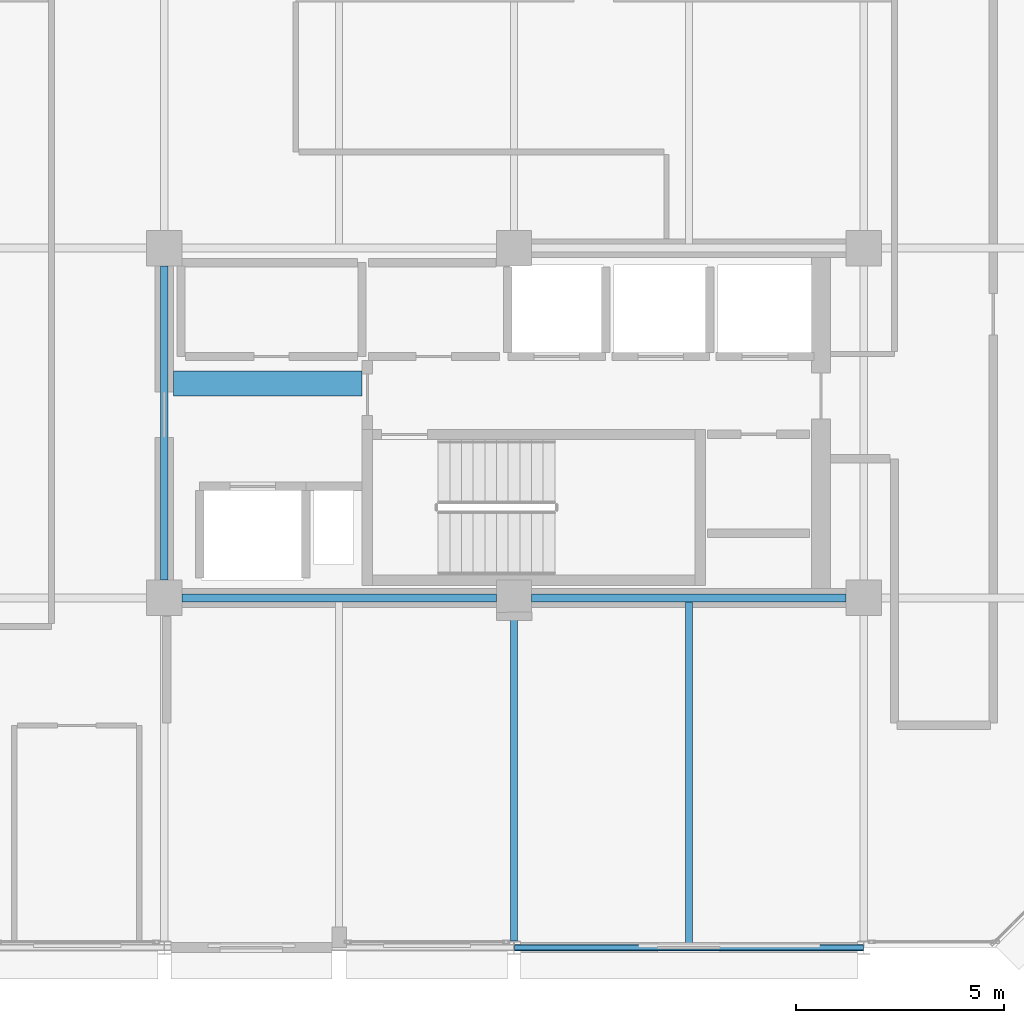
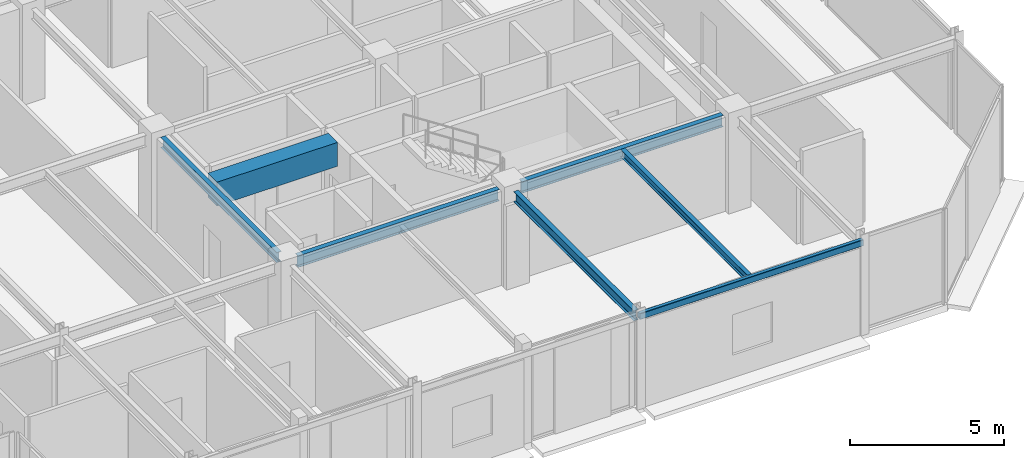
# One storey, part 8 of 27: 7 beams.
"""IFC4 building model written with IfcOpenShell, lengths in metres."""

from ifc_helpers import new_model, si_unit, direction, frame, origin, origin_2d, place, context, subcontext, project, spatial, rectangle, hollow_rectangle, i_section, extrude, material, material_profile, profile_set, type_object, element, save


model = new_model("IFC4")

# Units and contexts
model_context = context("Model", 3, precision=1e-05, world=origin(), true_north=direction((0.0, 1.0)))
body_context = subcontext(model_context, "Body", "Model", "MODEL_VIEW")
ifc_project = project(units=[si_unit("LENGTHUNIT", "METRE"), si_unit("AREAUNIT", "SQUARE_METRE"), si_unit("VOLUMEUNIT", "CUBIC_METRE"), si_unit("PLANEANGLEUNIT", "RADIAN"), si_unit("MASSUNIT", "GRAM", prefix="KILO")], contexts=[model_context])

# Site, building, storey
site_placement = place(None, origin())
site = spatial("IfcSite", under=ifc_project, at=site_placement, CompositionType="ELEMENT")
building_placement = place(site_placement, origin())
building = spatial("IfcBuilding", under=site, at=building_placement, Name="Nerrivon Quay Data Exchange", CompositionType="ELEMENT")
storey_placement = place(building_placement, frame((0.0, 0.0, 278.199951171875)))
storey = spatial("IfcBuildingStorey", under=building, at=storey_placement, Name="L66", CompositionType="ELEMENT", Elevation=278.199951171875)

# Beams
ifc_material_1 = material(Name="Concrete N50 (50 MPa)", Category="concrete")
ifc_material_profile_1 = material_profile(ifc_material_1, rectangle(XDim=0.60009765625, YDim=0.949951171875, at=origin_2d()), Name="RC-CB-600x950")
ifc_profile_set_1 = profile_set([ifc_material_profile_1], Name="Concrete N50 (50 MPa)")
beam_type_1 = type_object("IfcBeamType", Name="BM-CB2-600x950", PredefinedType="LINTEL", material=ifc_profile_set_1)
beam_1_placement = place(storey_placement, frame((17.02490234375, 13.550048828125, 3.25), z_axis=(1.0, 0.0, 0.0), x_axis=(0.0, 1.0, 0.0)))
element("IfcBeam", 1, at=beam_1_placement, inside=storey, type_object=beam_type_1, Name="L66 East Core Coupling Beam", PredefinedType="LINTEL", context=body_context, shape_type="SweptSolid", body=[
    extrude(rectangle(XDim=0.60009765625, YDim=0.949951171875, at=origin_2d()), origin(), (0.0, 0.0, 1.0), 4.530029296875),
])
ifc_material_2 = material(Name="Steel Grade 350", Category="steel")
ifc_material_profile_2 = material_profile(ifc_material_2, i_section(OverallWidth=0.18994140625, OverallDepth=0.4541015625, WebThickness=0.008544921875, FlangeThickness=0.0126953125, FilletRadius=0.011474609375, at=origin_2d()), Name="460UB67.1")
ifc_profile_set_2 = profile_set([ifc_material_profile_2], Name="Steel Grade 350")
beam_type_2 = type_object("IfcBeamType", Name="BM-G6-460UB67", PredefinedType="BEAM", material=ifc_profile_set_2)
beam_2_placement = place(storey_placement, frame((17.22509765625, 8.39990234375, 3.498046875), z_axis=(1.0, 0.0, 0.0), x_axis=(0.0, 1.0, 0.0)))
element("IfcBeam", 2, at=beam_2_placement, inside=storey, type_object=beam_type_2, Name="L66 EW Girder Y=8.4 (16.8..25.2)", PredefinedType="BEAM", context=body_context, shape_type="SweptSolid", body=[
    extrude(i_section(OverallWidth=0.18994140625, OverallDepth=0.4541015625, WebThickness=0.008544921875, FlangeThickness=0.0126953125, FilletRadius=0.011474609375, at=origin_2d()), origin(), (0.0, 0.0, 1.0), 7.5498046875),
])
beam_3_placement = place(storey_placement, frame((25.625, 8.39990234375, 3.498046875), z_axis=(1.0, 0.0, 0.0), x_axis=(0.0, 1.0, 0.0)))
element("IfcBeam", 3, at=beam_3_placement, inside=storey, type_object=beam_type_2, Name="L66 EW Girder Y=8.4 (25.2..33.6)", PredefinedType="BEAM", context=body_context, shape_type="SweptSolid", body=[
    extrude(i_section(OverallWidth=0.18994140625, OverallDepth=0.4541015625, WebThickness=0.008544921875, FlangeThickness=0.0126953125, FilletRadius=0.011474609375, at=origin_2d()), origin(), (0.0, 0.0, 1.0), 7.550048828125),
])
ifc_material_profile_3 = material_profile(ifc_material_2, i_section(OverallWidth=0.177978515625, OverallDepth=0.406005859375, WebThickness=0.0078125, FlangeThickness=0.0126953125, FilletRadius=0.011474609375, at=origin_2d()), Name="410UB59.7")
ifc_profile_set_3 = profile_set([ifc_material_profile_3], Name="Steel Grade 350")
beam_type_3 = type_object("IfcBeamType", Name="BM-J1-410UB60", PredefinedType="JOIST", material=ifc_profile_set_3)
beam_4_placement = place(storey_placement, frame((16.800048828125, 8.824951171875, 3.52197265625), z_axis=(0.0, 1.0, 0.0), x_axis=(-1.0, 0.0, 0.0)))
element("IfcBeam", 4, at=beam_4_placement, inside=storey, type_object=beam_type_3, Name="L66 NS Girder X=16.8 (8.4..16.8)", PredefinedType="JOIST", context=body_context, shape_type="SweptSolid", body=[
    extrude(i_section(OverallWidth=0.177978515625, OverallDepth=0.406005859375, WebThickness=0.0078125, FlangeThickness=0.0126953125, FilletRadius=0.011474609375, at=origin_2d()), origin(), (0.0, 0.0, 1.0), 7.550048828125),
])
beam_5_placement = place(storey_placement, frame((25.199951171875, 0.16357421875, 3.52197265625), z_axis=(0.0, 1.0, 0.0), x_axis=(-1.0, 0.0, 0.0)))
element("IfcBeam", 5, at=beam_5_placement, inside=storey, type_object=beam_type_3, Name="L66 NS Girder X=25.2 (0.0..8.4)", PredefinedType="JOIST", context=body_context, shape_type="SweptSolid", body=[
    extrude(i_section(OverallWidth=0.177978515625, OverallDepth=0.406005859375, WebThickness=0.0078125, FlangeThickness=0.0126953125, FilletRadius=0.011474609375, at=origin_2d()), origin(), (0.0, 0.0, 1.0), 7.8115234375),
])
ifc_material_profile_4 = material_profile(ifc_material_2, i_section(OverallWidth=0.1650390625, OverallDepth=0.303955078125, WebThickness=0.006103515625, FlangeThickness=0.01025390625, FilletRadius=0.011474609375, at=origin_2d()), Name="310UB40.4")
ifc_profile_set_4 = profile_set([ifc_material_profile_4], Name="Steel Grade 350")
beam_type_4 = type_object("IfcBeamType", Name="BM-J6-310UB40", PredefinedType="JOIST", material=ifc_profile_set_4)
beam_6_placement = place(storey_placement, frame((29.39990234375, 0.074951171875, 3.572998046875), z_axis=(0.0, 1.0, 0.0), x_axis=(-1.0, 0.0, 0.0)))
element("IfcBeam", 6, at=beam_6_placement, inside=storey, type_object=beam_type_4, Name="L66 Secondary Joist X=29.4 (0.0..8.4)", PredefinedType="JOIST", context=body_context, shape_type="SweptSolid", body=[
    extrude(i_section(OverallWidth=0.1650390625, OverallDepth=0.303955078125, WebThickness=0.006103515625, FlangeThickness=0.01025390625, FilletRadius=0.011474609375, at=origin_2d()), origin(), (0.0, 0.0, 1.0), 8.22998046875),
])
ifc_material_3 = material(Name="Steel Grade C350L0 (350 MPa)", Category="steel")
ifc_material_profile_5 = material_profile(ifc_material_3, hollow_rectangle(XDim=0.14990234375, YDim=0.25, WallThickness=0.009033203125, InnerFilletRadius=0.013427734375, OuterFilletRadius=0.0224609375, at=origin_2d()), Name="250x150x9.0RHS")
ifc_profile_set_5 = profile_set([ifc_material_profile_5], Name="Steel Grade C350L0 (350 MPa)")
beam_type_5 = type_object("IfcBeamType", Name="BM-SP4-250x150RHS", PredefinedType="SPANDREL", material=ifc_profile_set_5)
beam_7_placement = place(storey_placement, frame((25.2080078125, 0.0, 3.60009765625), z_axis=(1.0, 0.0, 0.0), x_axis=(0.0, 1.0, 0.0)))
element("IfcBeam", 7, at=beam_7_placement, inside=storey, type_object=beam_type_5, Name="L66 EW Girder Y=0.0 (25.2..33.6)", PredefinedType="SPANDREL", context=body_context, shape_type="SweptSolid", body=[
    extrude(hollow_rectangle(XDim=0.14990234375, YDim=0.25, WallThickness=0.009033203125, InnerFilletRadius=0.013427734375, OuterFilletRadius=0.0224609375, at=origin_2d()), origin(), (0.0, 0.0, 1.0), 8.38427734375),
])

save(model, "model.ifc")
